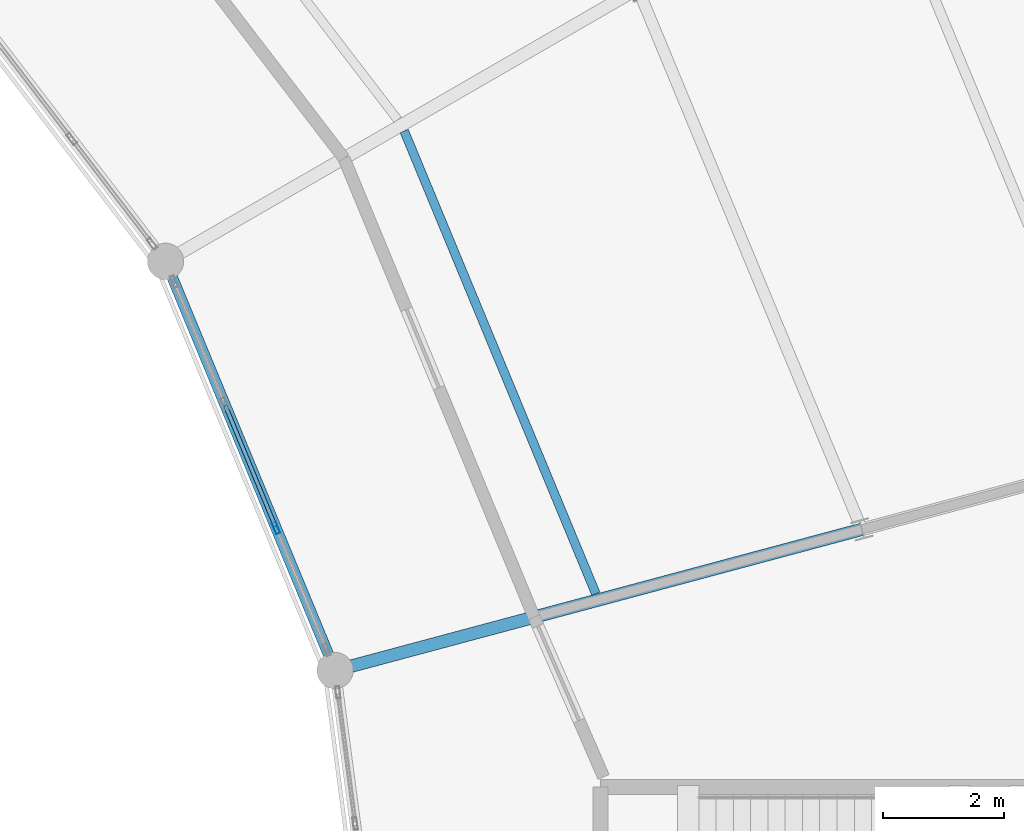
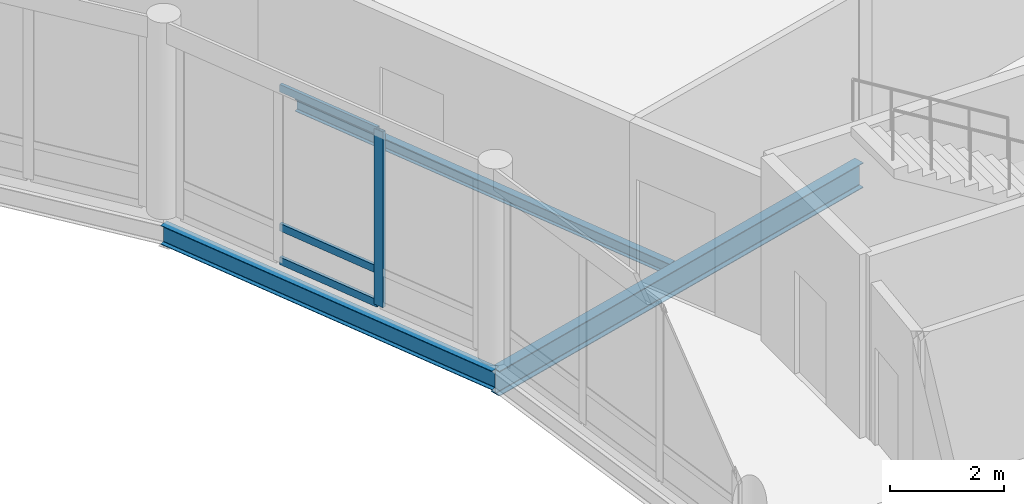
# One storey, part 110 of 170: 4 members, 3 beams, 1 element without a shape of its own.
"""IFC4 building model written with IfcOpenShell, lengths in metres."""

from ifc_helpers import new_model, si_unit, direction, frame, origin, origin_2d, place, context, subcontext, project, spatial, hollow_rectangle, i_section, extrude, material, material_profile, profile_set, type_object, element, aggregate, save


model = new_model("IFC4")

# Units and contexts
model_context = context("Model", 3, precision=1e-05, world=origin(), true_north=direction((0.0, 1.0)))
body_context = subcontext(model_context, "Body", "Model", "MODEL_VIEW")
ifc_project = project(units=[si_unit("LENGTHUNIT", "METRE"), si_unit("AREAUNIT", "SQUARE_METRE"), si_unit("VOLUMEUNIT", "CUBIC_METRE"), si_unit("PLANEANGLEUNIT", "RADIAN"), si_unit("MASSUNIT", "GRAM", prefix="KILO")], contexts=[model_context])

# Site, building, storey
site_placement = place(None, origin())
site = spatial("IfcSite", under=ifc_project, at=site_placement, CompositionType="ELEMENT")
building_placement = place(site_placement, origin())
building = spatial("IfcBuilding", under=site, at=building_placement, Name="Vondelvale Polytechnic", CompositionType="ELEMENT")
storey_placement = place(building_placement, frame((0.0, 0.0, 5.39990234375)))
storey = spatial("IfcBuildingStorey", under=building, at=storey_placement, Name="L01", CompositionType="ELEMENT", Elevation=5.39990234375)

# Beams
ifc_material_1 = material(Name="Steel 300PLUS (fy = 300 MPa)", Category="steel")
ifc_material_profile_1 = material_profile(ifc_material_1, i_section(OverallWidth=0.177978515625, OverallDepth=0.406005859375, WebThickness=0.0078125, FlangeThickness=0.0126953125, FilletRadius=0.011474609375, at=origin_2d()), Name="410UB59.7")
ifc_profile_set_1 = profile_set([ifc_material_profile_1], Name="Steel 300PLUS (fy = 300 MPa)")
beam_type_1 = type_object("IfcBeamType", Name="BM-UB410", PredefinedType="BEAM", material=ifc_profile_set_1)
beam_1_placement = place(storey_placement, frame((129.0458984375, 79.246826171875, -0.48291015625), z_axis=(-0.382667428841, 0.923886161226, 0.0), x_axis=(-0.923886161226, -0.382667428841, 0.0)))
element("IfcBeam", 1, at=beam_1_placement, inside=storey, type_object=beam_type_1, Name="L01 RB B-14", PredefinedType="BEAM", context=body_context, shape_type="SweptSolid", body=[
    extrude(i_section(OverallWidth=0.177978515625, OverallDepth=0.406005859375, WebThickness=0.0078125, FlangeThickness=0.0126953125, FilletRadius=0.011474609375, at=origin_2d()), origin(), (0.0, 0.0, 1.0), 7.3095703125),
])
ifc_material_profile_2 = material_profile(ifc_material_1, i_section(OverallWidth=0.208984375, OverallDepth=0.532958984375, WebThickness=0.01025390625, FlangeThickness=0.015625, FilletRadius=0.013916015625, at=origin_2d()), Name="530UB92.4")
ifc_profile_set_2 = profile_set([ifc_material_profile_2], Name="Steel 300PLUS (fy = 300 MPa)")
beam_type_2 = type_object("IfcBeamType", Name="BM-UB530", PredefinedType="BEAM", material=ifc_profile_set_2)
beam_2_placement = place(storey_placement, frame((129.0458984375, 79.246826171875, -0.54638671875), z_axis=(0.965919958881, 0.258840941576, 0.0), x_axis=(-0.258840941576, 0.965919958881, 0.0)))
element("IfcBeam", 2, at=beam_2_placement, inside=storey, type_object=beam_type_2, Name="L01 RG B-11", PredefinedType="BEAM", context=body_context, shape_type="SweptSolid", body=[
    extrude(i_section(OverallWidth=0.208984375, OverallDepth=0.532958984375, WebThickness=0.01025390625, FlangeThickness=0.015625, FilletRadius=0.013916015625, at=origin_2d()), origin(), (0.0, 0.0, 1.0), 9.0),
])

# Curtain wall, members
ifc_material_2 = material(Name="Anodised extruded aluminium 6063-T6", Category="aluminium")
curtain_wall_type = type_object("IfcCurtainWallType", Name="CW-RING-CLOISTER", PredefinedType="NOTDEFINED", material=ifc_material_2)
curtain_wall_placement = place(storey_placement, origin())
curtain_wall = element("IfcCurtainWall", 3, at=curtain_wall_placement, inside=storey, type_object=curtain_wall_type, Name="L01 architectural curtain wall CW-03-077", PredefinedType="NOTDEFINED")
ifc_material_profile_3 = material_profile(ifc_material_2, hollow_rectangle(XDim=0.070068359375, YDim=0.199951171875, WallThickness=0.00390625, at=origin_2d()), Name="CW-MUL-200x70")
ifc_profile_set_3 = profile_set([ifc_material_profile_3], Name="Anodised extruded aluminium 6063-T6")
member_type_1 = type_object("IfcMemberType", Name="CW-MUL-70x200", PredefinedType="MULLION", material=ifc_profile_set_3)
member_1_placement = place(storey_placement, frame((128.0712890625, 81.599609375, 0.0), z_axis=(0.0, 0.0, 1.0), x_axis=(-0.923881562419, -0.382678531697, 0.0)))
member_1 = element("IfcMember", 4, at=member_1_placement, type_object=member_type_1, Name="CW-03-077 mullion 2", PredefinedType="MULLION", context=body_context, shape_type="SweptSolid", body=[
    extrude(hollow_rectangle(XDim=0.070068359375, YDim=0.199951171875, WallThickness=0.00390625, at=origin_2d()), origin(), (0.0, 0.0, 1.0), 3.75),
])
ifc_material_profile_4 = material_profile(ifc_material_2, hollow_rectangle(XDim=0.06494140625, YDim=0.159912109375, WallThickness=0.00341796875, at=origin_2d()), Name="CW-TRN-160x65")
ifc_profile_set_4 = profile_set([ifc_material_profile_4], Name="Anodised extruded aluminium 6063-T6")
member_type_2 = type_object("IfcMemberType", Name="CW-TRN-70x160", PredefinedType="USERDEFINED", material=ifc_profile_set_4)
member_2_placement = place(storey_placement, frame((128.05810546875, 81.6318359375, 0.03271484375), z_axis=(-0.382716752649, 0.923865730094, 0.0), x_axis=(-0.923865730094, -0.382716752649, 0.0)))
member_2 = element("IfcMember", 5, at=member_2_placement, type_object=member_type_2, Name="CW-03-077 transom 2.1", ObjectType="TRANSOM", PredefinedType="USERDEFINED", context=body_context, shape_type="SweptSolid", body=[
    extrude(hollow_rectangle(XDim=0.06494140625, YDim=0.159912109375, WallThickness=0.00341796875, at=origin_2d()), origin(), (0.0, 0.0, 1.0), 2.146484375),
])
member_3_placement = place(storey_placement, frame((128.05810546875, 81.6318359375, 0.75), z_axis=(-0.382716752649, 0.923865730094, 0.0), x_axis=(-0.923865730094, -0.382716752649, 0.0)))
member_3 = element("IfcMember", 6, at=member_3_placement, type_object=member_type_2, Name="CW-03-077 transom 2.2", ObjectType="TRANSOM", PredefinedType="USERDEFINED", context=body_context, shape_type="SweptSolid", body=[
    extrude(hollow_rectangle(XDim=0.06494140625, YDim=0.159912109375, WallThickness=0.00341796875, at=origin_2d()), origin(), (0.0, 0.0, 1.0), 2.146484375),
])
member_4_placement = place(storey_placement, frame((128.05810546875, 81.6318359375, 3.717529296875), z_axis=(-0.382716752649, 0.923865730094, 0.0), x_axis=(-0.923865730094, -0.382716752649, 0.0)))
member_4 = element("IfcMember", 7, at=member_4_placement, type_object=member_type_2, Name="CW-03-077 transom 2.3", ObjectType="TRANSOM", PredefinedType="USERDEFINED", context=body_context, shape_type="SweptSolid", body=[
    extrude(hollow_rectangle(XDim=0.06494140625, YDim=0.159912109375, WallThickness=0.00341796875, at=origin_2d()), origin(), (0.0, 0.0, 1.0), 2.146484375),
])
aggregate(curtain_wall, [member_1, member_2, member_3, member_4])

# Beam
ifc_material_profile_5 = material_profile(ifc_material_1, i_section(OverallWidth=0.14599609375, OverallDepth=0.256103515625, WebThickness=0.00634765625, FlangeThickness=0.010986328125, FilletRadius=0.0087890625, at=origin_2d()), Name="250UB37.3")
ifc_profile_set_5 = profile_set([ifc_material_profile_5], Name="Steel 300PLUS (fy = 300 MPa)")
beam_type_3 = type_object("IfcBeamType", Name="JST-UB250", PredefinedType="JOIST", material=ifc_profile_set_5)
beam_3_placement = place(storey_placement, frame((133.3505859375, 80.51318359375, -0.407958984375), z_axis=(-0.38268053388, 0.923880733098, 0.0), x_axis=(-0.923880733098, -0.38268053388, 0.0)))
element("IfcBeam", 8, at=beam_3_placement, inside=storey, type_object=beam_type_3, Name="L01 RJ J-06", PredefinedType="JOIST", context=body_context, shape_type="SweptSolid", body=[
    extrude(i_section(OverallWidth=0.14599609375, OverallDepth=0.256103515625, WebThickness=0.00634765625, FlangeThickness=0.010986328125, FilletRadius=0.0087890625, at=origin_2d()), origin(), (0.0, 0.0, 1.0), 8.264404296875),
])

save(model, "model.ifc")
